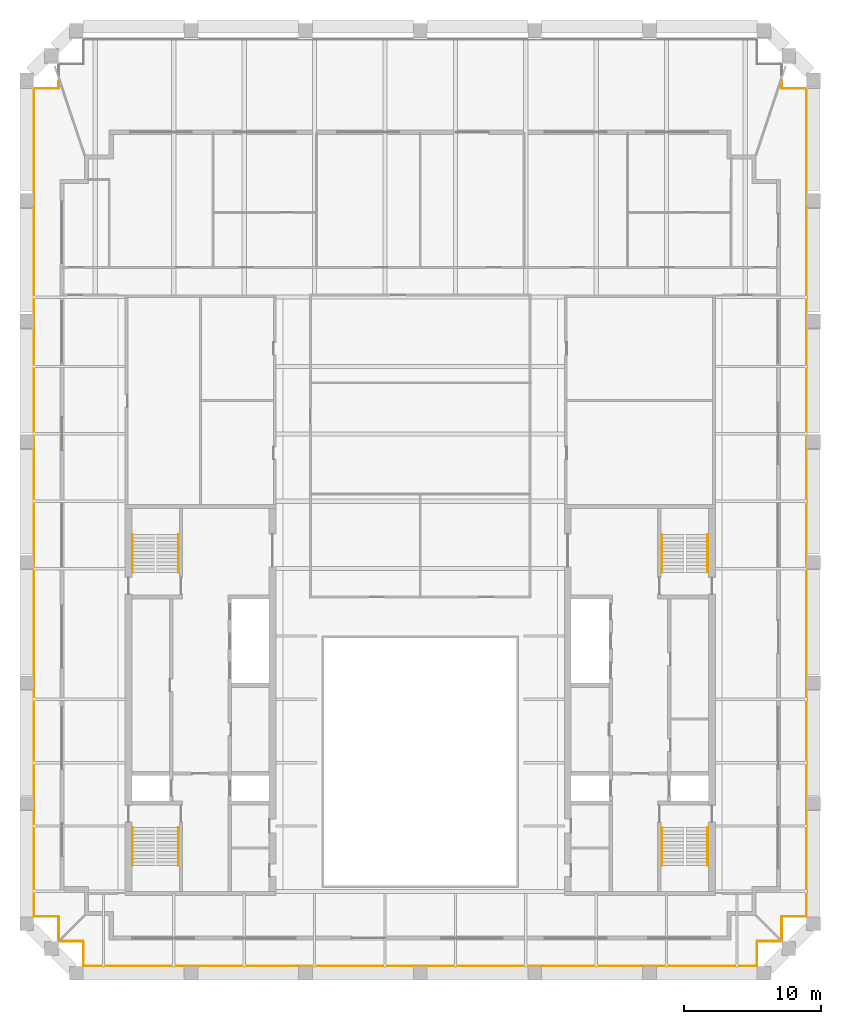
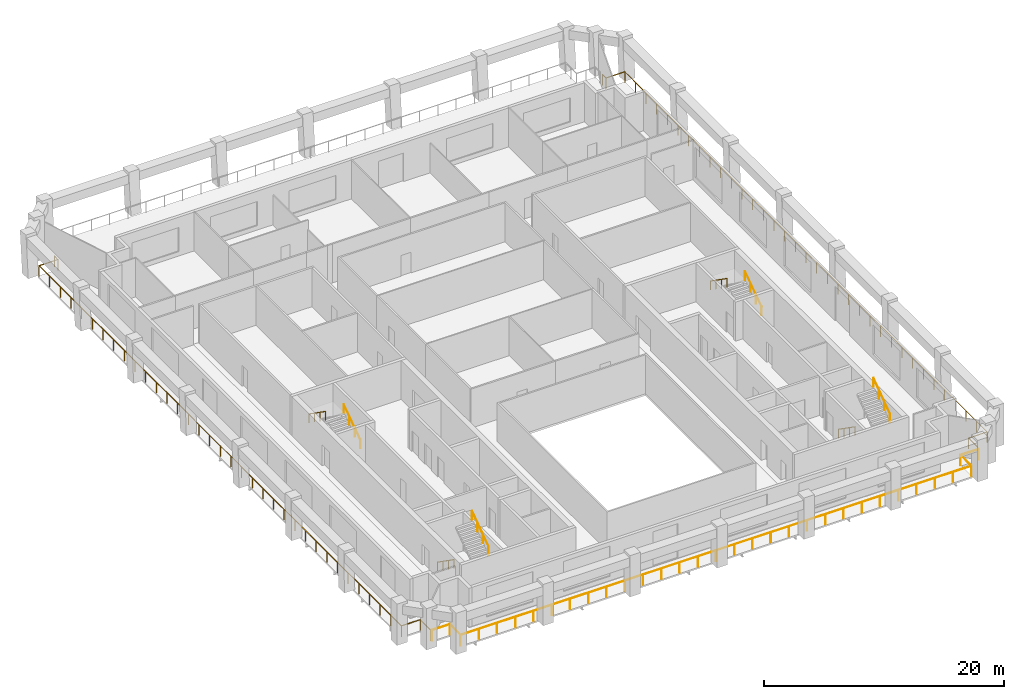
# One storey, part 8 of 9: 11 railings.
"""IFC4 building model written with IfcOpenShell, lengths in metres."""

from ifc_helpers import new_model, si_unit, direction, frame, origin, origin_2d, place, context, subcontext, project, spatial, circle, extrude, material, type_object, element, save


model = new_model("IFC4")

# Units and contexts
model_context = context("Model", 3, precision=1e-05, world=origin(), true_north=direction((0.0, 1.0)))
body_context = subcontext(model_context, "Body", "Model", "MODEL_VIEW")
ifc_project = project(units=[si_unit("LENGTHUNIT", "METRE"), si_unit("AREAUNIT", "SQUARE_METRE"), si_unit("VOLUMEUNIT", "CUBIC_METRE"), si_unit("PLANEANGLEUNIT", "RADIAN"), si_unit("MASSUNIT", "GRAM", prefix="KILO")], contexts=[model_context])

# Site, building, storey
site_placement = place(None, origin())
site = spatial("IfcSite", under=ifc_project, at=site_placement, CompositionType="ELEMENT")
building_placement = place(site_placement, origin())
building = spatial("IfcBuilding", under=site, at=building_placement, Name="Ogive Exchange Tower", CompositionType="ELEMENT")
storey_placement = place(building_placement, frame((0.0, 0.0, 355.199951171875)))
storey = spatial("IfcBuildingStorey", under=building, at=storey_placement, Name="L78", CompositionType="ELEMENT", Elevation=355.199951171875)

# Railings
ifc_material_1 = material(Name="Stainless steel 316", Category="steel")
railing_type_1 = type_object("IfcRailingType", Name="Guard 1100 stainless steel and glass", PredefinedType="GUARDRAIL", material=ifc_material_1)
railing_1_placement = place(storey_placement, frame((26.238037109375, -6.080078125, -0.050048828125)))
element("IfcRailing", 1, at=railing_1_placement, inside=storey, type_object=railing_type_1, Name="Loggia guard 1", PredefinedType="GUARDRAIL", context=body_context, shape_type="SweptSolid", body=[
    extrude(circle(Radius=0.02392578125, at=origin_2d()), frame((0.0, 0.0, 1.076171875), z_axis=(-1.0, 0.0, 0.0), x_axis=(0.0, -1.0, 0.0)), (0.0, 0.0, 1.0), 1.7080078125),
    extrude(circle(Radius=0.02392578125, at=origin_2d()), frame((-1.7080078125, 0.0, 1.076171875), z_axis=(0.0, -1.0, 0.0), x_axis=(1.0, 0.0, 0.0)), (0.0, 0.0, 1.0), 1.7998046875),
    extrude(circle(Radius=0.02392578125, at=origin_2d()), frame((-1.7080078125, -1.7998046875, 1.076171875), z_axis=(-1.0, 0.0, 0.0), x_axis=(0.0, -1.0, 0.0)), (0.0, 0.0, 1.0), 49.06005859375),
    extrude(circle(Radius=0.02392578125, at=origin_2d()), frame((-50.76806640625, -1.7998046875, 1.076171875), z_axis=(0.0, 1.0, 0.0), x_axis=(-1.0, 0.0, 0.0)), (0.0, 0.0, 1.0), 1.7998046875),
    extrude(circle(Radius=0.02392578125, at=origin_2d()), frame((-50.76806640625, 0.0, 1.076171875), z_axis=(-1.0, 0.0, 0.0), x_axis=(0.0, -1.0, 0.0)), (0.0, 0.0, 1.0), 1.7080078125),
    extrude(circle(Radius=0.02099609375, at=origin_2d()), origin(), (0.0, 0.0, 1.0), 1.052001953125),
    extrude(circle(Radius=0.02099609375, at=origin_2d()), frame((-1.7080078125, 0.0, 0.0)), (0.0, 0.0, 1.0), 1.052001953125),
    extrude(circle(Radius=0.02099609375, at=origin_2d()), frame((-1.7080078125, -1.7998046875, 0.0)), (0.0, 0.0, 1.0), 1.052001953125),
    extrude(circle(Radius=0.02099609375, at=origin_2d()), frame((-3.460205078125, -1.7998046875, 0.0)), (0.0, 0.0, 1.0), 1.052001953125),
    extrude(circle(Radius=0.02099609375, at=origin_2d()), frame((-5.21240234375, -1.7998046875, 0.0)), (0.0, 0.0, 1.0), 1.052001953125),
    extrude(circle(Radius=0.02099609375, at=origin_2d()), frame((-6.96435546875, -1.7998046875, 0.0)), (0.0, 0.0, 1.0), 1.052001953125),
    extrude(circle(Radius=0.02099609375, at=origin_2d()), frame((-8.716552734375, -1.7998046875, 0.0)), (0.0, 0.0, 1.0), 1.052001953125),
    extrude(circle(Radius=0.02099609375, at=origin_2d()), frame((-10.46875, -1.7998046875, 0.0)), (0.0, 0.0, 1.0), 1.052001953125),
    extrude(circle(Radius=0.02099609375, at=origin_2d()), frame((-12.220947265625, -1.7998046875, 0.0)), (0.0, 0.0, 1.0), 1.052001953125),
    extrude(circle(Radius=0.02099609375, at=origin_2d()), frame((-13.97314453125, -1.7998046875, 0.0)), (0.0, 0.0, 1.0), 1.052001953125),
    extrude(circle(Radius=0.02099609375, at=origin_2d()), frame((-15.72509765625, -1.7998046875, 0.0)), (0.0, 0.0, 1.0), 1.052001953125),
    extrude(circle(Radius=0.02099609375, at=origin_2d()), frame((-17.477294921875, -1.7998046875, 0.0)), (0.0, 0.0, 1.0), 1.052001953125),
    extrude(circle(Radius=0.02099609375, at=origin_2d()), frame((-19.2294921875, -1.7998046875, 0.0)), (0.0, 0.0, 1.0), 1.052001953125),
    extrude(circle(Radius=0.02099609375, at=origin_2d()), frame((-20.981689453125, -1.7998046875, 0.0)), (0.0, 0.0, 1.0), 1.052001953125),
    extrude(circle(Radius=0.02099609375, at=origin_2d()), frame((-22.733642578125, -1.7998046875, 0.0)), (0.0, 0.0, 1.0), 1.052001953125),
    extrude(circle(Radius=0.02099609375, at=origin_2d()), frame((-24.48583984375, -1.7998046875, 0.0)), (0.0, 0.0, 1.0), 1.052001953125),
    extrude(circle(Radius=0.02099609375, at=origin_2d()), frame((-26.238037109375, -1.7998046875, 0.0)), (0.0, 0.0, 1.0), 1.052001953125),
    extrude(circle(Radius=0.02099609375, at=origin_2d()), frame((-27.990234375, -1.7998046875, 0.0)), (0.0, 0.0, 1.0), 1.052001953125),
    extrude(circle(Radius=0.02099609375, at=origin_2d()), frame((-29.742431640625, -1.7998046875, 0.0)), (0.0, 0.0, 1.0), 1.052001953125),
    extrude(circle(Radius=0.02099609375, at=origin_2d()), frame((-31.494384765625, -1.7998046875, 0.0)), (0.0, 0.0, 1.0), 1.052001953125),
    extrude(circle(Radius=0.02099609375, at=origin_2d()), frame((-33.24658203125, -1.7998046875, 0.0)), (0.0, 0.0, 1.0), 1.052001953125),
    extrude(circle(Radius=0.02099609375, at=origin_2d()), frame((-34.998779296875, -1.7998046875, 0.0)), (0.0, 0.0, 1.0), 1.052001953125),
    extrude(circle(Radius=0.02099609375, at=origin_2d()), frame((-36.7509765625, -1.7998046875, 0.0)), (0.0, 0.0, 1.0), 1.052001953125),
    extrude(circle(Radius=0.02099609375, at=origin_2d()), frame((-38.5029296875, -1.7998046875, 0.0)), (0.0, 0.0, 1.0), 1.052001953125),
    extrude(circle(Radius=0.02099609375, at=origin_2d()), frame((-40.255126953125, -1.7998046875, 0.0)), (0.0, 0.0, 1.0), 1.052001953125),
    extrude(circle(Radius=0.02099609375, at=origin_2d()), frame((-42.00732421875, -1.7998046875, 0.0)), (0.0, 0.0, 1.0), 1.052001953125),
    extrude(circle(Radius=0.02099609375, at=origin_2d()), frame((-43.759521484375, -1.7998046875, 0.0)), (0.0, 0.0, 1.0), 1.052001953125),
    extrude(circle(Radius=0.02099609375, at=origin_2d()), frame((-45.51171875, -1.7998046875, 0.0)), (0.0, 0.0, 1.0), 1.052001953125),
    extrude(circle(Radius=0.02099609375, at=origin_2d()), frame((-47.263671875, -1.7998046875, 0.0)), (0.0, 0.0, 1.0), 1.052001953125),
    extrude(circle(Radius=0.02099609375, at=origin_2d()), frame((-49.015869140625, -1.7998046875, 0.0)), (0.0, 0.0, 1.0), 1.052001953125),
    extrude(circle(Radius=0.02099609375, at=origin_2d()), frame((-50.76806640625, -1.7998046875, 0.0)), (0.0, 0.0, 1.0), 1.052001953125),
    extrude(circle(Radius=0.02099609375, at=origin_2d()), frame((-50.76806640625, 0.0, 0.0)), (0.0, 0.0, 1.0), 1.052001953125),
    extrude(circle(Radius=0.02099609375, at=origin_2d()), frame((-52.47607421875, 0.0, 0.0)), (0.0, 0.0, 1.0), 1.052001953125),
])
railing_2_placement = place(storey_placement, frame((-26.330078125, -5.988037109375, -0.050048828125)))
element("IfcRailing", 2, at=railing_2_placement, inside=storey, type_object=railing_type_1, Name="Loggia guard 2", PredefinedType="GUARDRAIL", context=body_context, shape_type="SweptSolid", body=[
    extrude(circle(Radius=0.02392578125, at=origin_2d()), frame((0.0, 0.0, 1.076171875), z_axis=(0.0, 1.0, 0.0), x_axis=(-1.0, 0.0, 0.0)), (0.0, 0.0, 1.0), 1.7080078125),
    extrude(circle(Radius=0.02392578125, at=origin_2d()), frame((0.0, 1.7080078125, 1.076171875), z_axis=(-1.0, 0.0, 0.0), x_axis=(0.0, -1.0, 0.0)), (0.0, 0.0, 1.0), 1.7998046875),
    extrude(circle(Radius=0.02392578125, at=origin_2d()), frame((-1.7998046875, 1.7080078125, 1.076171875), z_axis=(0.0, 1.0, 0.0), x_axis=(-1.0, 0.0, 0.0)), (0.0, 0.0, 1.0), 60.305419921875),
    extrude(circle(Radius=0.02392578125, at=origin_2d()), frame((-1.7998046875, 62.013427734375, 1.076171875), z_axis=(1.0, 0.0, 0.0), x_axis=(0.0, 1.0, 0.0)), (0.0, 0.0, 1.0), 1.7998046875),
    extrude(circle(Radius=0.02392578125, at=origin_2d()), frame((0.0, 62.013427734375, 1.076171875), z_axis=(0.0, 1.0, 0.0), x_axis=(-1.0, 0.0, 0.0)), (0.0, 0.0, 1.0), 0.567626953125),
    extrude(circle(Radius=0.02099609375, at=origin_2d()), origin(), (0.0, 0.0, 1.0), 1.052001953125),
    extrude(circle(Radius=0.02099609375, at=origin_2d()), frame((0.0, 1.7080078125, 0.0)), (0.0, 0.0, 1.0), 1.052001953125),
    extrude(circle(Radius=0.02099609375, at=origin_2d()), frame((-1.7998046875, 1.7080078125, 0.0)), (0.0, 0.0, 1.0), 1.052001953125),
    extrude(circle(Radius=0.02099609375, at=origin_2d()), frame((-1.7998046875, 3.481689453125, 0.0)), (0.0, 0.0, 1.0), 1.052001953125),
    extrude(circle(Radius=0.02099609375, at=origin_2d()), frame((-1.7998046875, 5.25537109375, 0.0)), (0.0, 0.0, 1.0), 1.052001953125),
    extrude(circle(Radius=0.02099609375, at=origin_2d()), frame((-1.7998046875, 7.029052734375, 0.0)), (0.0, 0.0, 1.0), 1.052001953125),
    extrude(circle(Radius=0.02099609375, at=origin_2d()), frame((-1.7998046875, 8.802734375, 0.0)), (0.0, 0.0, 1.0), 1.052001953125),
    extrude(circle(Radius=0.02099609375, at=origin_2d()), frame((-1.7998046875, 10.576416015625, 0.0)), (0.0, 0.0, 1.0), 1.052001953125),
    extrude(circle(Radius=0.02099609375, at=origin_2d()), frame((-1.7998046875, 12.35009765625, 0.0)), (0.0, 0.0, 1.0), 1.052001953125),
    extrude(circle(Radius=0.02099609375, at=origin_2d()), frame((-1.7998046875, 14.123779296875, 0.0)), (0.0, 0.0, 1.0), 1.052001953125),
    extrude(circle(Radius=0.02099609375, at=origin_2d()), frame((-1.7998046875, 15.8974609375, 0.0)), (0.0, 0.0, 1.0), 1.052001953125),
    extrude(circle(Radius=0.02099609375, at=origin_2d()), frame((-1.7998046875, 17.671142578125, 0.0)), (0.0, 0.0, 1.0), 1.052001953125),
    extrude(circle(Radius=0.02099609375, at=origin_2d()), frame((-1.7998046875, 19.44482421875, 0.0)), (0.0, 0.0, 1.0), 1.052001953125),
    extrude(circle(Radius=0.02099609375, at=origin_2d()), frame((-1.7998046875, 21.218505859375, 0.0)), (0.0, 0.0, 1.0), 1.052001953125),
    extrude(circle(Radius=0.02099609375, at=origin_2d()), frame((-1.7998046875, 22.9921875, 0.0)), (0.0, 0.0, 1.0), 1.052001953125),
    extrude(circle(Radius=0.02099609375, at=origin_2d()), frame((-1.7998046875, 24.765869140625, 0.0)), (0.0, 0.0, 1.0), 1.052001953125),
    extrude(circle(Radius=0.02099609375, at=origin_2d()), frame((-1.7998046875, 26.53955078125, 0.0)), (0.0, 0.0, 1.0), 1.052001953125),
    extrude(circle(Radius=0.02099609375, at=origin_2d()), frame((-1.7998046875, 28.313232421875, 0.0)), (0.0, 0.0, 1.0), 1.052001953125),
    extrude(circle(Radius=0.02099609375, at=origin_2d()), frame((-1.7998046875, 30.0869140625, 0.0)), (0.0, 0.0, 1.0), 1.052001953125),
    extrude(circle(Radius=0.02099609375, at=origin_2d()), frame((-1.7998046875, 31.86083984375, 0.0)), (0.0, 0.0, 1.0), 1.052001953125),
    extrude(circle(Radius=0.02099609375, at=origin_2d()), frame((-1.7998046875, 33.634521484375, 0.0)), (0.0, 0.0, 1.0), 1.052001953125),
    extrude(circle(Radius=0.02099609375, at=origin_2d()), frame((-1.7998046875, 35.408203125, 0.0)), (0.0, 0.0, 1.0), 1.052001953125),
    extrude(circle(Radius=0.02099609375, at=origin_2d()), frame((-1.7998046875, 37.181884765625, 0.0)), (0.0, 0.0, 1.0), 1.052001953125),
    extrude(circle(Radius=0.02099609375, at=origin_2d()), frame((-1.7998046875, 38.95556640625, 0.0)), (0.0, 0.0, 1.0), 1.052001953125),
    extrude(circle(Radius=0.02099609375, at=origin_2d()), frame((-1.7998046875, 40.729248046875, 0.0)), (0.0, 0.0, 1.0), 1.052001953125),
    extrude(circle(Radius=0.02099609375, at=origin_2d()), frame((-1.7998046875, 42.5029296875, 0.0)), (0.0, 0.0, 1.0), 1.052001953125),
    extrude(circle(Radius=0.02099609375, at=origin_2d()), frame((-1.7998046875, 44.276611328125, 0.0)), (0.0, 0.0, 1.0), 1.052001953125),
    extrude(circle(Radius=0.02099609375, at=origin_2d()), frame((-1.7998046875, 46.05029296875, 0.0)), (0.0, 0.0, 1.0), 1.052001953125),
    extrude(circle(Radius=0.02099609375, at=origin_2d()), frame((-1.7998046875, 47.823974609375, 0.0)), (0.0, 0.0, 1.0), 1.052001953125),
    extrude(circle(Radius=0.02099609375, at=origin_2d()), frame((-1.7998046875, 49.59765625, 0.0)), (0.0, 0.0, 1.0), 1.052001953125),
    extrude(circle(Radius=0.02099609375, at=origin_2d()), frame((-1.7998046875, 51.371337890625, 0.0)), (0.0, 0.0, 1.0), 1.052001953125),
    extrude(circle(Radius=0.02099609375, at=origin_2d()), frame((-1.7998046875, 53.14501953125, 0.0)), (0.0, 0.0, 1.0), 1.052001953125),
    extrude(circle(Radius=0.02099609375, at=origin_2d()), frame((-1.7998046875, 54.918701171875, 0.0)), (0.0, 0.0, 1.0), 1.052001953125),
    extrude(circle(Radius=0.02099609375, at=origin_2d()), frame((-1.7998046875, 56.6923828125, 0.0)), (0.0, 0.0, 1.0), 1.052001953125),
    extrude(circle(Radius=0.02099609375, at=origin_2d()), frame((-1.7998046875, 58.466064453125, 0.0)), (0.0, 0.0, 1.0), 1.052001953125),
    extrude(circle(Radius=0.02099609375, at=origin_2d()), frame((-1.7998046875, 60.23974609375, 0.0)), (0.0, 0.0, 1.0), 1.052001953125),
    extrude(circle(Radius=0.02099609375, at=origin_2d()), frame((-1.7998046875, 62.013427734375, 0.0)), (0.0, 0.0, 1.0), 1.052001953125),
    extrude(circle(Radius=0.02099609375, at=origin_2d()), frame((0.0, 62.013427734375, 0.0)), (0.0, 0.0, 1.0), 1.052001953125),
    extrude(circle(Radius=0.02099609375, at=origin_2d()), frame((0.0, 62.5810546875, 0.0)), (0.0, 0.0, 1.0), 1.052001953125),
])
railing_3_placement = place(storey_placement, frame((26.330078125, 56.593017578125, -0.050048828125)))
element("IfcRailing", 3, at=railing_3_placement, inside=storey, type_object=railing_type_1, Name="Loggia guard 4", PredefinedType="GUARDRAIL", context=body_context, shape_type="SweptSolid", body=[
    extrude(circle(Radius=0.02392578125, at=origin_2d()), frame((0.0, 0.0, 1.076171875), z_axis=(0.0, -1.0, 0.0), x_axis=(1.0, 0.0, 0.0)), (0.0, 0.0, 1.0), 0.567626953125),
    extrude(circle(Radius=0.02392578125, at=origin_2d()), frame((0.0, -0.567626953125, 1.076171875), z_axis=(1.0, 0.0, 0.0), x_axis=(0.0, 1.0, 0.0)), (0.0, 0.0, 1.0), 1.7998046875),
    extrude(circle(Radius=0.02392578125, at=origin_2d()), frame((1.7998046875, -0.567626953125, 1.076171875), z_axis=(0.0, -1.0, 0.0), x_axis=(1.0, 0.0, 0.0)), (0.0, 0.0, 1.0), 60.305419921875),
    extrude(circle(Radius=0.02392578125, at=origin_2d()), frame((1.7998046875, -60.873046875, 1.076171875), z_axis=(-1.0, 0.0, 0.0), x_axis=(0.0, -1.0, 0.0)), (0.0, 0.0, 1.0), 1.7998046875),
    extrude(circle(Radius=0.02392578125, at=origin_2d()), frame((0.0, -60.873046875, 1.076171875), z_axis=(0.0, -1.0, 0.0), x_axis=(1.0, 0.0, 0.0)), (0.0, 0.0, 1.0), 1.7080078125),
    extrude(circle(Radius=0.02099609375, at=origin_2d()), origin(), (0.0, 0.0, 1.0), 1.052001953125),
    extrude(circle(Radius=0.02099609375, at=origin_2d()), frame((0.0, -0.567626953125, 0.0)), (0.0, 0.0, 1.0), 1.052001953125),
    extrude(circle(Radius=0.02099609375, at=origin_2d()), frame((1.7998046875, -0.567626953125, 0.0)), (0.0, 0.0, 1.0), 1.052001953125),
    extrude(circle(Radius=0.02099609375, at=origin_2d()), frame((1.7998046875, -2.34130859375, 0.0)), (0.0, 0.0, 1.0), 1.052001953125),
    extrude(circle(Radius=0.02099609375, at=origin_2d()), frame((1.7998046875, -4.114990234375, 0.0)), (0.0, 0.0, 1.0), 1.052001953125),
    extrude(circle(Radius=0.02099609375, at=origin_2d()), frame((1.7998046875, -5.888671875, 0.0)), (0.0, 0.0, 1.0), 1.052001953125),
    extrude(circle(Radius=0.02099609375, at=origin_2d()), frame((1.7998046875, -7.662353515625, 0.0)), (0.0, 0.0, 1.0), 1.052001953125),
    extrude(circle(Radius=0.02099609375, at=origin_2d()), frame((1.7998046875, -9.43603515625, 0.0)), (0.0, 0.0, 1.0), 1.052001953125),
    extrude(circle(Radius=0.02099609375, at=origin_2d()), frame((1.7998046875, -11.209716796875, 0.0)), (0.0, 0.0, 1.0), 1.052001953125),
    extrude(circle(Radius=0.02099609375, at=origin_2d()), frame((1.7998046875, -12.9833984375, 0.0)), (0.0, 0.0, 1.0), 1.052001953125),
    extrude(circle(Radius=0.02099609375, at=origin_2d()), frame((1.7998046875, -14.757080078125, 0.0)), (0.0, 0.0, 1.0), 1.052001953125),
    extrude(circle(Radius=0.02099609375, at=origin_2d()), frame((1.7998046875, -16.53076171875, 0.0)), (0.0, 0.0, 1.0), 1.052001953125),
    extrude(circle(Radius=0.02099609375, at=origin_2d()), frame((1.7998046875, -18.304443359375, 0.0)), (0.0, 0.0, 1.0), 1.052001953125),
    extrude(circle(Radius=0.02099609375, at=origin_2d()), frame((1.7998046875, -20.078125, 0.0)), (0.0, 0.0, 1.0), 1.052001953125),
    extrude(circle(Radius=0.02099609375, at=origin_2d()), frame((1.7998046875, -21.851806640625, 0.0)), (0.0, 0.0, 1.0), 1.052001953125),
    extrude(circle(Radius=0.02099609375, at=origin_2d()), frame((1.7998046875, -23.62548828125, 0.0)), (0.0, 0.0, 1.0), 1.052001953125),
    extrude(circle(Radius=0.02099609375, at=origin_2d()), frame((1.7998046875, -25.399169921875, 0.0)), (0.0, 0.0, 1.0), 1.052001953125),
    extrude(circle(Radius=0.02099609375, at=origin_2d()), frame((1.7998046875, -27.1728515625, 0.0)), (0.0, 0.0, 1.0), 1.052001953125),
    extrude(circle(Radius=0.02099609375, at=origin_2d()), frame((1.7998046875, -28.946533203125, 0.0)), (0.0, 0.0, 1.0), 1.052001953125),
    extrude(circle(Radius=0.02099609375, at=origin_2d()), frame((1.7998046875, -30.72021484375, 0.0)), (0.0, 0.0, 1.0), 1.052001953125),
    extrude(circle(Radius=0.02099609375, at=origin_2d()), frame((1.7998046875, -32.494140625, 0.0)), (0.0, 0.0, 1.0), 1.052001953125),
    extrude(circle(Radius=0.02099609375, at=origin_2d()), frame((1.7998046875, -34.267822265625, 0.0)), (0.0, 0.0, 1.0), 1.052001953125),
    extrude(circle(Radius=0.02099609375, at=origin_2d()), frame((1.7998046875, -36.04150390625, 0.0)), (0.0, 0.0, 1.0), 1.052001953125),
    extrude(circle(Radius=0.02099609375, at=origin_2d()), frame((1.7998046875, -37.815185546875, 0.0)), (0.0, 0.0, 1.0), 1.052001953125),
    extrude(circle(Radius=0.02099609375, at=origin_2d()), frame((1.7998046875, -39.5888671875, 0.0)), (0.0, 0.0, 1.0), 1.052001953125),
    extrude(circle(Radius=0.02099609375, at=origin_2d()), frame((1.7998046875, -41.362548828125, 0.0)), (0.0, 0.0, 1.0), 1.052001953125),
    extrude(circle(Radius=0.02099609375, at=origin_2d()), frame((1.7998046875, -43.13623046875, 0.0)), (0.0, 0.0, 1.0), 1.052001953125),
    extrude(circle(Radius=0.02099609375, at=origin_2d()), frame((1.7998046875, -44.909912109375, 0.0)), (0.0, 0.0, 1.0), 1.052001953125),
    extrude(circle(Radius=0.02099609375, at=origin_2d()), frame((1.7998046875, -46.68359375, 0.0)), (0.0, 0.0, 1.0), 1.052001953125),
    extrude(circle(Radius=0.02099609375, at=origin_2d()), frame((1.7998046875, -48.457275390625, 0.0)), (0.0, 0.0, 1.0), 1.052001953125),
    extrude(circle(Radius=0.02099609375, at=origin_2d()), frame((1.7998046875, -50.23095703125, 0.0)), (0.0, 0.0, 1.0), 1.052001953125),
    extrude(circle(Radius=0.02099609375, at=origin_2d()), frame((1.7998046875, -52.004638671875, 0.0)), (0.0, 0.0, 1.0), 1.052001953125),
    extrude(circle(Radius=0.02099609375, at=origin_2d()), frame((1.7998046875, -53.7783203125, 0.0)), (0.0, 0.0, 1.0), 1.052001953125),
    extrude(circle(Radius=0.02099609375, at=origin_2d()), frame((1.7998046875, -55.552001953125, 0.0)), (0.0, 0.0, 1.0), 1.052001953125),
    extrude(circle(Radius=0.02099609375, at=origin_2d()), frame((1.7998046875, -57.32568359375, 0.0)), (0.0, 0.0, 1.0), 1.052001953125),
    extrude(circle(Radius=0.02099609375, at=origin_2d()), frame((1.7998046875, -59.099365234375, 0.0)), (0.0, 0.0, 1.0), 1.052001953125),
    extrude(circle(Radius=0.02099609375, at=origin_2d()), frame((1.7998046875, -60.873046875, 0.0)), (0.0, 0.0, 1.0), 1.052001953125),
    extrude(circle(Radius=0.02099609375, at=origin_2d()), frame((0.0, -60.873046875, 0.0)), (0.0, 0.0, 1.0), 1.052001953125),
    extrude(circle(Radius=0.02099609375, at=origin_2d()), frame((0.0, -62.5810546875, 0.0)), (0.0, 0.0, 1.0), 1.052001953125),
])
ifc_material_2 = material(Name="Stainless steel", Category="steel")
railing_type_2 = type_object("IfcRailingType", Name="Stair handrail 900", PredefinedType="HANDRAIL", material=ifc_material_2)
railing_4_placement = place(storey_placement, frame((-20.949951171875, 2.199951171875, 0.175048828125)))
element("IfcRailing", 4, at=railing_4_placement, inside=storey, type_object=railing_type_2, Name="L78 ST1 stair handrail 1", PredefinedType="HANDRAIL", context=body_context, shape_type="SweptSolid", body=[
    extrude(circle(Radius=0.02392578125, at=origin_2d()), frame((0.0, 0.0, 0.8759765625), z_axis=(0.0, -0.819225086817, 0.573472106672), x_axis=(1.0, 0.0, 0.0)), (0.0, 0.0, 1.0), 3.35693359375),
    extrude(circle(Radius=0.02099609375, at=origin_2d()), origin(), (0.0, 0.0, 1.0), 0.851806640625),
    extrude(circle(Radius=0.02099609375, at=origin_2d()), frame((0.0, -0.916748046875, 0.6416015625)), (0.0, 0.0, 1.0), 0.851806640625),
    extrude(circle(Radius=0.02099609375, at=origin_2d()), frame((0.0, -1.833251953125, 1.283447265625)), (0.0, 0.0, 1.0), 0.851806640625),
    extrude(circle(Radius=0.02099609375, at=origin_2d()), frame((0.0, -2.75, 1.925048828125)), (0.0, 0.0, 1.0), 0.851806640625),
])
railing_5_placement = place(storey_placement, frame((-17.60009765625, -0.550048828125, 2.275146484375)))
element("IfcRailing", 5, at=railing_5_placement, inside=storey, type_object=railing_type_2, Name="L78 ST1 stair handrail 2", PredefinedType="HANDRAIL", context=body_context, shape_type="SweptSolid", body=[
    extrude(circle(Radius=0.02392578125, at=origin_2d()), frame((0.0, 0.0, 0.8759765625), z_axis=(0.0, 0.819259255306, 0.573423292687), x_axis=(-1.0, 0.0, 0.0)), (0.0, 0.0, 1.0), 3.356689453125),
    extrude(circle(Radius=0.02099609375, at=origin_2d()), origin(), (0.0, 0.0, 1.0), 0.851806640625),
    extrude(circle(Radius=0.02099609375, at=origin_2d()), frame((0.0, 0.916748046875, 0.6416015625)), (0.0, 0.0, 1.0), 0.851806640625),
    extrude(circle(Radius=0.02099609375, at=origin_2d()), frame((0.0, 1.833251953125, 1.283203125)), (0.0, 0.0, 1.0), 0.851806640625),
    extrude(circle(Radius=0.02099609375, at=origin_2d()), frame((0.0, 2.75, 1.9248046875)), (0.0, 0.0, 1.0), 0.851806640625),
])
railing_6_placement = place(storey_placement, frame((-17.60009765625, 20.800048828125, 0.175048828125)))
element("IfcRailing", 6, at=railing_6_placement, inside=storey, type_object=railing_type_2, Name="L78 ST2 stair handrail 1", PredefinedType="HANDRAIL", context=body_context, shape_type="SweptSolid", body=[
    extrude(circle(Radius=0.02392578125, at=origin_2d()), frame((0.0, 0.0, 0.8759765625), z_axis=(0.0, 0.819225086817, 0.573472106672), x_axis=(-1.0, 0.0, 0.0)), (0.0, 0.0, 1.0), 3.35693359375),
    extrude(circle(Radius=0.02099609375, at=origin_2d()), origin(), (0.0, 0.0, 1.0), 0.851806640625),
    extrude(circle(Radius=0.02099609375, at=origin_2d()), frame((0.0, 0.916748046875, 0.6416015625)), (0.0, 0.0, 1.0), 0.851806640625),
    extrude(circle(Radius=0.02099609375, at=origin_2d()), frame((0.0, 1.833251953125, 1.283447265625)), (0.0, 0.0, 1.0), 0.851806640625),
    extrude(circle(Radius=0.02099609375, at=origin_2d()), frame((0.0, 2.75, 1.925048828125)), (0.0, 0.0, 1.0), 0.851806640625),
])
railing_7_placement = place(storey_placement, frame((-20.949951171875, 23.550048828125, 2.275146484375)))
element("IfcRailing", 7, at=railing_7_placement, inside=storey, type_object=railing_type_2, Name="L78 ST2 stair handrail 2", PredefinedType="HANDRAIL", context=body_context, shape_type="SweptSolid", body=[
    extrude(circle(Radius=0.02392578125, at=origin_2d()), frame((0.0, 0.0, 0.8759765625), z_axis=(0.0, -0.819259255306, 0.573423292687), x_axis=(1.0, 0.0, 0.0)), (0.0, 0.0, 1.0), 3.356689453125),
    extrude(circle(Radius=0.02099609375, at=origin_2d()), origin(), (0.0, 0.0, 1.0), 0.851806640625),
    extrude(circle(Radius=0.02099609375, at=origin_2d()), frame((0.0, -0.916748046875, 0.6416015625)), (0.0, 0.0, 1.0), 0.851806640625),
    extrude(circle(Radius=0.02099609375, at=origin_2d()), frame((0.0, -1.833251953125, 1.283203125)), (0.0, 0.0, 1.0), 0.851806640625),
    extrude(circle(Radius=0.02099609375, at=origin_2d()), frame((0.0, -2.75, 1.9248046875)), (0.0, 0.0, 1.0), 0.851806640625),
])
railing_8_placement = place(storey_placement, frame((17.60009765625, 2.199951171875, 0.175048828125)))
element("IfcRailing", 8, at=railing_8_placement, inside=storey, type_object=railing_type_2, Name="L78 ST3 stair handrail 1", PredefinedType="HANDRAIL", context=body_context, shape_type="SweptSolid", body=[
    extrude(circle(Radius=0.02392578125, at=origin_2d()), frame((0.0, 0.0, 0.8759765625), z_axis=(0.0, -0.819225086817, 0.573472106672), x_axis=(1.0, 0.0, 0.0)), (0.0, 0.0, 1.0), 3.35693359375),
    extrude(circle(Radius=0.02099609375, at=origin_2d()), origin(), (0.0, 0.0, 1.0), 0.851806640625),
    extrude(circle(Radius=0.02099609375, at=origin_2d()), frame((0.0, -0.916748046875, 0.6416015625)), (0.0, 0.0, 1.0), 0.851806640625),
    extrude(circle(Radius=0.02099609375, at=origin_2d()), frame((0.0, -1.833251953125, 1.283447265625)), (0.0, 0.0, 1.0), 0.851806640625),
    extrude(circle(Radius=0.02099609375, at=origin_2d()), frame((0.0, -2.75, 1.925048828125)), (0.0, 0.0, 1.0), 0.851806640625),
])
railing_9_placement = place(storey_placement, frame((20.949951171875, -0.550048828125, 2.275146484375)))
element("IfcRailing", 9, at=railing_9_placement, inside=storey, type_object=railing_type_2, Name="L78 ST3 stair handrail 2", PredefinedType="HANDRAIL", context=body_context, shape_type="SweptSolid", body=[
    extrude(circle(Radius=0.02392578125, at=origin_2d()), frame((0.0, 0.0, 0.8759765625), z_axis=(0.0, 0.819259255306, 0.573423292687), x_axis=(-1.0, 0.0, 0.0)), (0.0, 0.0, 1.0), 3.356689453125),
    extrude(circle(Radius=0.02099609375, at=origin_2d()), origin(), (0.0, 0.0, 1.0), 0.851806640625),
    extrude(circle(Radius=0.02099609375, at=origin_2d()), frame((0.0, 0.916748046875, 0.6416015625)), (0.0, 0.0, 1.0), 0.851806640625),
    extrude(circle(Radius=0.02099609375, at=origin_2d()), frame((0.0, 1.833251953125, 1.283203125)), (0.0, 0.0, 1.0), 0.851806640625),
    extrude(circle(Radius=0.02099609375, at=origin_2d()), frame((0.0, 2.75, 1.9248046875)), (0.0, 0.0, 1.0), 0.851806640625),
])
railing_10_placement = place(storey_placement, frame((20.949951171875, 20.800048828125, 0.175048828125)))
element("IfcRailing", 10, at=railing_10_placement, inside=storey, type_object=railing_type_2, Name="L78 ST4 stair handrail 1", PredefinedType="HANDRAIL", context=body_context, shape_type="SweptSolid", body=[
    extrude(circle(Radius=0.02392578125, at=origin_2d()), frame((0.0, 0.0, 0.8759765625), z_axis=(0.0, 0.819225086817, 0.573472106672), x_axis=(-1.0, 0.0, 0.0)), (0.0, 0.0, 1.0), 3.35693359375),
    extrude(circle(Radius=0.02099609375, at=origin_2d()), origin(), (0.0, 0.0, 1.0), 0.851806640625),
    extrude(circle(Radius=0.02099609375, at=origin_2d()), frame((0.0, 0.916748046875, 0.6416015625)), (0.0, 0.0, 1.0), 0.851806640625),
    extrude(circle(Radius=0.02099609375, at=origin_2d()), frame((0.0, 1.833251953125, 1.283447265625)), (0.0, 0.0, 1.0), 0.851806640625),
    extrude(circle(Radius=0.02099609375, at=origin_2d()), frame((0.0, 2.75, 1.925048828125)), (0.0, 0.0, 1.0), 0.851806640625),
])
railing_11_placement = place(storey_placement, frame((17.60009765625, 23.550048828125, 2.275146484375)))
element("IfcRailing", 11, at=railing_11_placement, inside=storey, type_object=railing_type_2, Name="L78 ST4 stair handrail 2", PredefinedType="HANDRAIL", context=body_context, shape_type="SweptSolid", body=[
    extrude(circle(Radius=0.02392578125, at=origin_2d()), frame((0.0, 0.0, 0.8759765625), z_axis=(0.0, -0.819259255306, 0.573423292687), x_axis=(1.0, 0.0, 0.0)), (0.0, 0.0, 1.0), 3.356689453125),
    extrude(circle(Radius=0.02099609375, at=origin_2d()), origin(), (0.0, 0.0, 1.0), 0.851806640625),
    extrude(circle(Radius=0.02099609375, at=origin_2d()), frame((0.0, -0.916748046875, 0.6416015625)), (0.0, 0.0, 1.0), 0.851806640625),
    extrude(circle(Radius=0.02099609375, at=origin_2d()), frame((0.0, -1.833251953125, 1.283203125)), (0.0, 0.0, 1.0), 0.851806640625),
    extrude(circle(Radius=0.02099609375, at=origin_2d()), frame((0.0, -2.75, 1.9248046875)), (0.0, 0.0, 1.0), 0.851806640625),
])

save(model, "model.ifc")
